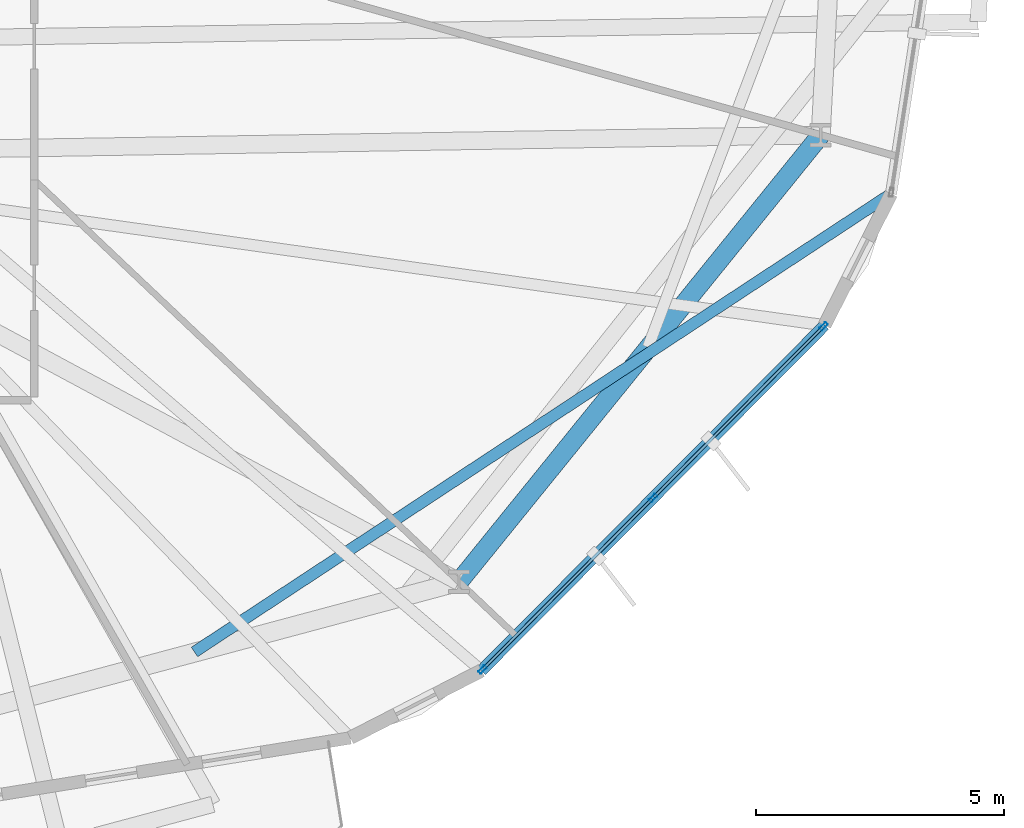
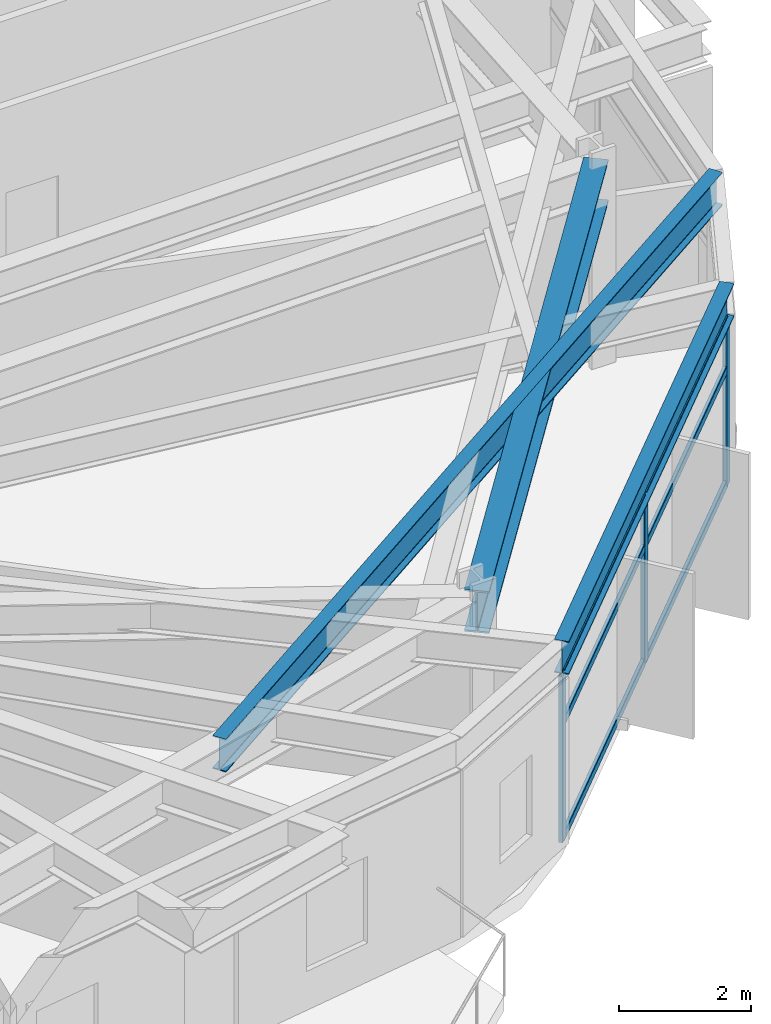
# One storey, part 8 of 23: 9 members, 3 beams, 1 element without a shape of its own.
"""IFC4 building model written with IfcOpenShell, lengths in metres."""

from ifc_helpers import new_model, si_unit, direction, frame, origin, origin_2d, place, context, subcontext, project, spatial, hollow_rectangle, i_section, extrude, material, layer, layer_set, material_profile, profile_set, type_object, element, aggregate, save


model = new_model("IFC4")

# Units and contexts
model_context = context("Model", 3, precision=1e-05, world=origin(), true_north=direction((0.0, 1.0)))
body_context = subcontext(model_context, "Body", "Model", "MODEL_VIEW")
ifc_project = project(units=[si_unit("LENGTHUNIT", "METRE"), si_unit("AREAUNIT", "SQUARE_METRE"), si_unit("VOLUMEUNIT", "CUBIC_METRE"), si_unit("PLANEANGLEUNIT", "RADIAN"), si_unit("MASSUNIT", "GRAM", prefix="KILO")], contexts=[model_context])

# Site, building, storey
site_placement = place(None, origin())
site = spatial("IfcSite", under=ifc_project, at=site_placement, CompositionType="ELEMENT")
building_placement = place(site_placement, origin())
building = spatial("IfcBuilding", under=site, at=building_placement, Name="Soratama Intermodal Tower", CompositionType="ELEMENT")
storey_placement = place(building_placement, frame((0.0, 0.0, 62.60009765625)))
storey = spatial("IfcBuildingStorey", under=building, at=storey_placement, Name="L14", CompositionType="ELEMENT", Elevation=62.60009765625)

# Beams
ifc_material_1 = material(Name="Structural steel ASTM A992 Grade 50", Category="steel")
ifc_material_profile_1 = material_profile(ifc_material_1, i_section(OverallWidth=0.382080078125, OverallDepth=0.779052734375, WebThickness=0.01806640625, FlangeThickness=0.030029296875, FilletRadius=0.01806640625, at=origin_2d()), Name="W30X191")
ifc_profile_set_1 = profile_set([ifc_material_profile_1], Name="Structural steel ASTM A992 Grade 50")
beam_type_1 = type_object("IfcBeamType", Name="BM-RING-W30X191", PredefinedType="BEAM", material=ifc_profile_set_1)
beam_1_placement = place(storey_placement, frame((55.196044921875, 9.300048828125, 3.310302734375), z_axis=(0.629334198857, 0.777134779912, 0.0), x_axis=(-0.777134779912, 0.629334198857, 0.0)))
element("IfcBeam", 1, at=beam_1_placement, inside=storey, type_object=beam_type_1, Name="BM-L14-RING-09", PredefinedType="BEAM", context=body_context, shape_type="SweptSolid", body=[
    extrude(i_section(OverallWidth=0.382080078125, OverallDepth=0.779052734375, WebThickness=0.01806640625, FlangeThickness=0.030029296875, FilletRadius=0.01806640625, at=origin_2d()), origin(), (0.0, 0.0, 1.0), 11.5693359375),
])
ifc_material_2 = material(Name="Structural steel ASTM A992 Grade 50", Category="steel")
ifc_material_profile_2 = material_profile(ifc_material_2, i_section(OverallWidth=0.22900390625, OverallDepth=0.612060546875, WebThickness=0.011962890625, FlangeThickness=0.01953125, FilletRadius=0.012939453125, at=origin_2d()), Name="W24X84")
ifc_profile_set_2 = profile_set([ifc_material_profile_2], Name="Structural steel ASTM A992 Grade 50")
beam_type_2 = type_object("IfcBeamType", Name="BM-SPN-W24X84", PredefinedType="SPANDREL", material=ifc_profile_set_2)
beam_2_placement = place(storey_placement, frame((55.64794921875, 7.510986328125, 3.393798828125), z_axis=(0.704911045702, 0.709295719462, 0.0), x_axis=(-0.709295719462, 0.704911045702, 0.0)))
element("IfcBeam", 2, at=beam_2_placement, inside=storey, type_object=beam_type_2, Name="BS-L14-F09", PredefinedType="SPANDREL", context=body_context, shape_type="SweptSolid", body=[
    extrude(i_section(OverallWidth=0.22900390625, OverallDepth=0.612060546875, WebThickness=0.011962890625, FlangeThickness=0.01953125, FilletRadius=0.012939453125, at=origin_2d()), origin(), (0.0, 0.0, 1.0), 9.7998046875),
])
ifc_material_3 = material(Name="Structural steel ASTM A992 Grade 50", Category="steel")
ifc_material_profile_3 = material_profile(ifc_material_3, i_section(OverallWidth=0.22900390625, OverallDepth=0.612060546875, WebThickness=0.011962890625, FlangeThickness=0.01953125, FilletRadius=0.012939453125, at=origin_2d()), Name="W24X84")
ifc_profile_set_3 = profile_set([ifc_material_profile_3], Name="Structural steel ASTM A992 Grade 50")
beam_type_3 = type_object("IfcBeamType", Name="BM-TIE-W24X84", PredefinedType="BEAM", material=ifc_profile_set_3)
beam_3_placement = place(storey_placement, frame((49.8720703125, 7.886962890625, 3.393798828125), z_axis=(0.835467348412, 0.54954008929, 0.0), x_axis=(-0.54954008929, 0.835467348412, 0.0)))
element("IfcBeam", 3, at=beam_3_placement, inside=storey, type_object=beam_type_3, Name="BM-L14-TIE0-10", PredefinedType="BEAM", context=body_context, shape_type="SweptSolid", body=[
    extrude(i_section(OverallWidth=0.22900390625, OverallDepth=0.612060546875, WebThickness=0.011962890625, FlangeThickness=0.01953125, FilletRadius=0.012939453125, at=origin_2d()), origin(), (0.0, 0.0, 1.0), 16.783447265625),
])

# Curtain wall, members
ifc_material_4 = material(Name="Double-glazed aluminium curtain wall", Category="aluminium")
ifc_layer = layer(ifc_material_4, 0.159912109375)
ifc_layer_set = layer_set([ifc_layer], Name="Double-glazed aluminium curtain wall")
curtain_wall_type = type_object("IfcCurtainWallType", Name="CW-SYS-2", PredefinedType="NOTDEFINED", material=ifc_layer_set)
curtain_wall_placement = place(storey_placement, origin())
curtain_wall = element("IfcCurtainWall", 4, at=curtain_wall_placement, inside=storey, type_object=curtain_wall_type, Name="L14 Faceted Curtain Wall F09", PredefinedType="NOTDEFINED")
ifc_material_5 = material(Name="Anodised aluminium AA 6063-T6", Category="aluminium")
ifc_material_profile_4 = material_profile(ifc_material_5, hollow_rectangle(XDim=0.074951171875, YDim=0.179931640625, WallThickness=0.006103515625, InnerFilletRadius=0.006103515625, OuterFilletRadius=0.011962890625, at=origin_2d()), Name="CWM180X75X6")
ifc_profile_set_4 = profile_set([ifc_material_profile_4], Name="Anodised aluminium AA 6063-T6")
member_type_1 = type_object("IfcMemberType", Name="MT-CWM-2", PredefinedType="MULLION", material=ifc_profile_set_4)
member_1_placement = place(storey_placement, frame((55.6689453125, 7.531982421875, 0.0), z_axis=(0.0, 0.0, 1.0), x_axis=(-0.709327775851, 0.704878788449, 0.0)))
member_1 = element("IfcMember", 5, at=member_1_placement, type_object=member_type_1, Name="CW-2 mullion 1", PredefinedType="MULLION", context=body_context, shape_type="SweptSolid", body=[
    extrude(hollow_rectangle(XDim=0.074951171875, YDim=0.179931640625, WallThickness=0.006103515625, InnerFilletRadius=0.006103515625, OuterFilletRadius=0.011962890625, at=origin_2d()), origin(), (0.0, 0.0, 1.0), 3.078857421875),
])
member_2_placement = place(storey_placement, frame((59.101806640625, 10.986572265625, 0.0), z_axis=(0.0, 0.0, 1.0), x_axis=(-0.709327775851, 0.704878788449, 0.0)))
member_2 = element("IfcMember", 6, at=member_2_placement, type_object=member_type_1, Name="CW-2 mullion 2", PredefinedType="MULLION", context=body_context, shape_type="SweptSolid", body=[
    extrude(hollow_rectangle(XDim=0.074951171875, YDim=0.179931640625, WallThickness=0.006103515625, InnerFilletRadius=0.006103515625, OuterFilletRadius=0.011962890625, at=origin_2d()), origin(), (0.0, 0.0, 1.0), 3.078857421875),
])
member_3_placement = place(storey_placement, frame((62.53466796875, 14.44091796875, 0.0), z_axis=(0.0, 0.0, 1.0), x_axis=(-0.709327775851, 0.704878788449, 0.0)))
member_3 = element("IfcMember", 7, at=member_3_placement, type_object=member_type_1, Name="CW-2 mullion 3", PredefinedType="MULLION", context=body_context, shape_type="SweptSolid", body=[
    extrude(hollow_rectangle(XDim=0.074951171875, YDim=0.179931640625, WallThickness=0.006103515625, InnerFilletRadius=0.006103515625, OuterFilletRadius=0.011962890625, at=origin_2d()), origin(), (0.0, 0.0, 1.0), 3.078857421875),
])
ifc_material_6 = material(Name="Anodised aluminium AA 6063-T6", Category="aluminium")
ifc_material_profile_5 = material_profile(ifc_material_6, hollow_rectangle(XDim=0.06494140625, YDim=0.14990234375, WallThickness=0.0048828125, InnerFilletRadius=0.0048828125, OuterFilletRadius=0.010009765625, at=origin_2d()), Name="CWT150X65X5")
ifc_profile_set_5 = profile_set([ifc_material_profile_5], Name="Anodised aluminium AA 6063-T6")
member_type_2 = type_object("IfcMemberType", Name="TT-CWT-1", PredefinedType="USERDEFINED", material=ifc_profile_set_5)
member_4_placement = place(storey_placement, frame((55.690185546875, 7.553466796875, 0.02978515625), z_axis=(0.704869922644, 0.70933658594, 0.0), x_axis=(-0.70933658594, 0.704869922644, 0.0)))
member_4 = element("IfcMember", 8, at=member_4_placement, type_object=member_type_2, Name="CW-2 transom 1.1", ObjectType="TRANSOM", PredefinedType="USERDEFINED", context=body_context, shape_type="SweptSolid", body=[
    extrude(hollow_rectangle(XDim=0.06494140625, YDim=0.14990234375, WallThickness=0.0048828125, InnerFilletRadius=0.0048828125, OuterFilletRadius=0.010009765625, at=origin_2d()), origin(), (0.0, 0.0, 1.0), 4.81005859375),
])
member_5_placement = place(storey_placement, frame((55.690185546875, 7.553466796875, 2.14990234375), z_axis=(0.704869922644, 0.70933658594, 0.0), x_axis=(-0.70933658594, 0.704869922644, 0.0)))
member_5 = element("IfcMember", 9, at=member_5_placement, type_object=member_type_2, Name="CW-2 transom 1.2", ObjectType="TRANSOM", PredefinedType="USERDEFINED", context=body_context, shape_type="SweptSolid", body=[
    extrude(hollow_rectangle(XDim=0.06494140625, YDim=0.14990234375, WallThickness=0.0048828125, InnerFilletRadius=0.0048828125, OuterFilletRadius=0.010009765625, at=origin_2d()), origin(), (0.0, 0.0, 1.0), 4.81005859375),
])
member_6_placement = place(storey_placement, frame((55.690185546875, 7.553466796875, 3.048828125), z_axis=(0.704869922644, 0.70933658594, 0.0), x_axis=(-0.70933658594, 0.704869922644, 0.0)))
member_6 = element("IfcMember", 10, at=member_6_placement, type_object=member_type_2, Name="CW-2 transom 1.3", ObjectType="TRANSOM", PredefinedType="USERDEFINED", context=body_context, shape_type="SweptSolid", body=[
    extrude(hollow_rectangle(XDim=0.06494140625, YDim=0.14990234375, WallThickness=0.0048828125, InnerFilletRadius=0.0048828125, OuterFilletRadius=0.010009765625, at=origin_2d()), origin(), (0.0, 0.0, 1.0), 4.81005859375),
])
member_7_placement = place(storey_placement, frame((59.123046875, 11.0078125, 0.02978515625), z_axis=(0.704869922644, 0.70933658594, 0.0), x_axis=(-0.70933658594, 0.704869922644, 0.0)))
member_7 = element("IfcMember", 11, at=member_7_placement, type_object=member_type_2, Name="CW-2 transom 2.1", ObjectType="TRANSOM", PredefinedType="USERDEFINED", context=body_context, shape_type="SweptSolid", body=[
    extrude(hollow_rectangle(XDim=0.06494140625, YDim=0.14990234375, WallThickness=0.0048828125, InnerFilletRadius=0.0048828125, OuterFilletRadius=0.010009765625, at=origin_2d()), origin(), (0.0, 0.0, 1.0), 4.81005859375),
])
member_8_placement = place(storey_placement, frame((59.123046875, 11.0078125, 2.14990234375), z_axis=(0.704869922644, 0.70933658594, 0.0), x_axis=(-0.70933658594, 0.704869922644, 0.0)))
member_8 = element("IfcMember", 12, at=member_8_placement, type_object=member_type_2, Name="CW-2 transom 2.2", ObjectType="TRANSOM", PredefinedType="USERDEFINED", context=body_context, shape_type="SweptSolid", body=[
    extrude(hollow_rectangle(XDim=0.06494140625, YDim=0.14990234375, WallThickness=0.0048828125, InnerFilletRadius=0.0048828125, OuterFilletRadius=0.010009765625, at=origin_2d()), origin(), (0.0, 0.0, 1.0), 4.81005859375),
])
member_9_placement = place(storey_placement, frame((59.123046875, 11.0078125, 3.048828125), z_axis=(0.704869922644, 0.70933658594, 0.0), x_axis=(-0.70933658594, 0.704869922644, 0.0)))
member_9 = element("IfcMember", 13, at=member_9_placement, type_object=member_type_2, Name="CW-2 transom 2.3", ObjectType="TRANSOM", PredefinedType="USERDEFINED", context=body_context, shape_type="SweptSolid", body=[
    extrude(hollow_rectangle(XDim=0.06494140625, YDim=0.14990234375, WallThickness=0.0048828125, InnerFilletRadius=0.0048828125, OuterFilletRadius=0.010009765625, at=origin_2d()), origin(), (0.0, 0.0, 1.0), 4.81005859375),
])
aggregate(curtain_wall, [member_1, member_2, member_3, member_4, member_5, member_6, member_7, member_8, member_9])

save(model, "model.ifc")
